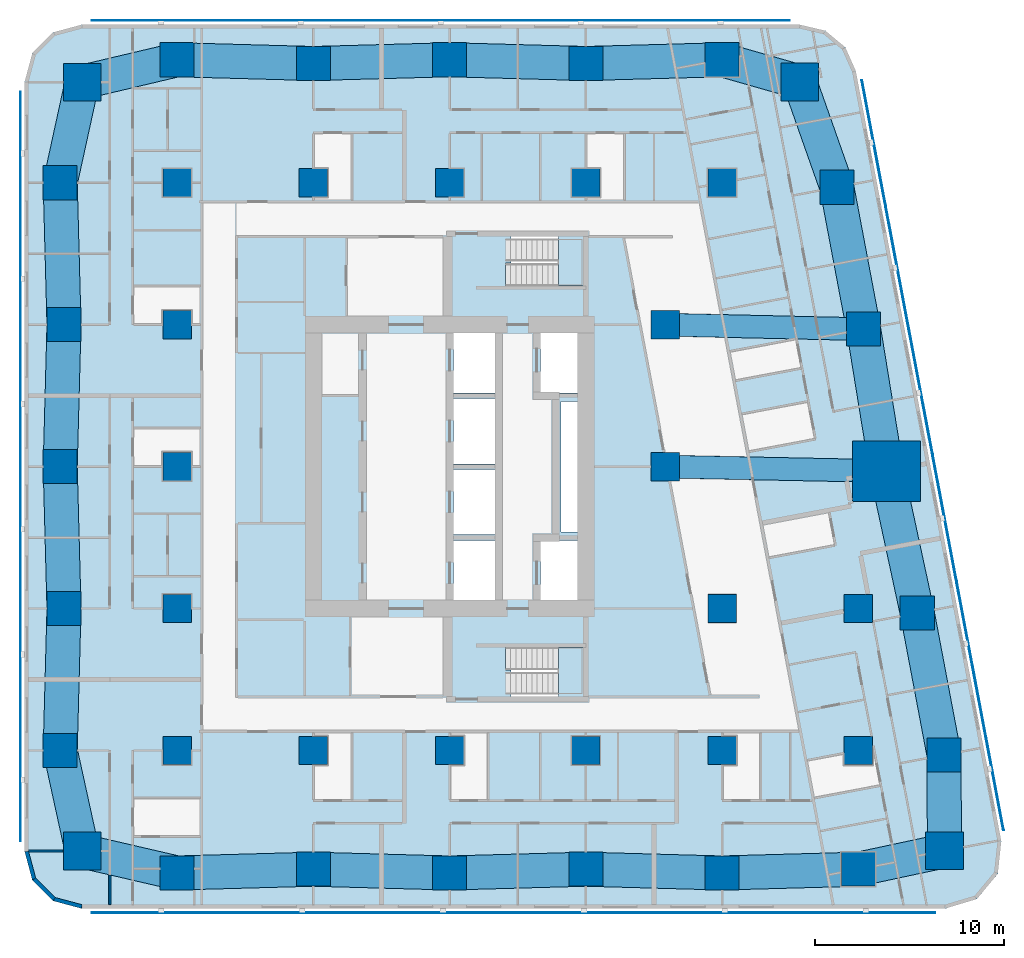
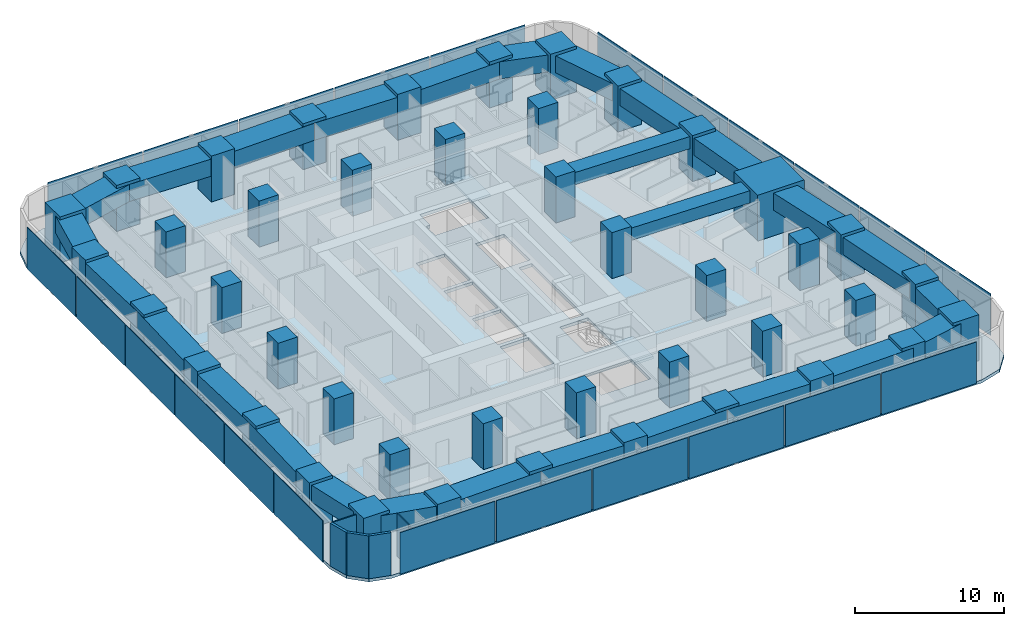
# One storey, part 1 of 15: 43 columns, 27 beams, 23 plates, 5 walls, 3 slabs, 2 elements without a shape of their own.
"""IFC4 building model written with IfcOpenShell, lengths in metres."""

from ifc_helpers import new_model, si_unit, direction, frame, frame_2d, origin, origin_2d, place, context, subcontext, project, spatial, polyline, rectangle, outline, extrude, material, layer, layer_set, material_profile, profile_set, type_object, element, aggregate, save


model = new_model("IFC4")

# Units and contexts
model_context = context("Model", 3, precision=1e-05, world=origin(), true_north=direction((0.0, 1.0)))
body_context = subcontext(model_context, "Body", "Model", "MODEL_VIEW")
ifc_project = project(units=[si_unit("LENGTHUNIT", "METRE"), si_unit("AREAUNIT", "SQUARE_METRE"), si_unit("VOLUMEUNIT", "CUBIC_METRE"), si_unit("PLANEANGLEUNIT", "RADIAN"), si_unit("MASSUNIT", "GRAM", prefix="KILO")], contexts=[model_context])

# Site, building, storey
site_placement = place(None, origin())
site = spatial("IfcSite", under=ifc_project, at=site_placement, CompositionType="ELEMENT")
building_placement = place(site_placement, origin())
building = spatial("IfcBuilding", under=site, at=building_placement, Name="Sheger Commons Tower", CompositionType="ELEMENT")
storey_placement = place(building_placement, frame((0.0, 0.0, 158.300048828125)))
storey = spatial("IfcBuildingStorey", under=building, at=storey_placement, Name="L40", CompositionType="ELEMENT", Elevation=158.300048828125)

# Columns
ifc_material_1 = material(Name="Concrete C50/60", Category="concrete")
ifc_material_profile_1 = material_profile(ifc_material_1, rectangle(XDim=3.60009765625, YDim=3.199951171875, at=origin_2d()), Name="RC 3600x3200")
ifc_profile_set_1 = profile_set([ifc_material_profile_1], Name="Concrete C50/60")
column_type_1 = type_object("IfcColumnType", Name="COLUMN PIER RC 3600x3200", PredefinedType="COLUMN", material=ifc_profile_set_1)
column_placement = place(storey_placement, frame((44.697021484375, 22.262939453125, 0.0), z_axis=(0.0, 0.0, 1.0), x_axis=(1.0, 0.0, 0.0)))
element("IfcColumn", 1, at=column_placement, inside=storey, type_object=column_type_1, Name="Pier 7/D+E/D L40", PredefinedType="COLUMN", context=body_context, shape_type="SweptSolid", body=[
    extrude(rectangle(XDim=3.60009765625, YDim=3.199951171875, at=origin_2d()), origin(), (0.0, 0.0, 1.0), 3.75),
])
ifc_material_2 = material(Name="Concrete C50/60", Category="concrete")
ifc_material_profile_2 = material_profile(ifc_material_2, rectangle(XDim=1.5, YDim=1.5, at=origin_2d()), Name="RC 1500x1500")
ifc_profile_set_2 = profile_set([ifc_material_profile_2], Name="Concrete C50/60")
column_type_2 = type_object("IfcColumnType", Name="COLUMN RC 1500x1500", PredefinedType="COLUMN", material=ifc_profile_set_2)
for number, where, z_axis, x_axis, name in (
    (2, (7.199951171875, 7.5, 0.0), (0.0, 0.0, 1.0), (1.0, 0.0, 0.0), "Column 2/B L40"),
    (3, (14.39990234375, 7.5, 0.0), (0.0, 0.0, 1.0), (1.0, 0.0, 0.0), "Column 3/B L40"),
    (4, (21.60009765625, 7.5, 0.0), (0.0, 0.0, 1.0), (1.0, 0.0, 0.0), "Column 4/B L40"),
    (5, (28.800048828125, 7.5, 0.0), (0.0, 0.0, 1.0), (1.0, 0.0, 0.0), "Column 5/B L40"),
    (6, (36.0, 7.5, 0.0), (0.0, 0.0, 1.0), (1.0, 0.0, 0.0), "Column 6/B L40"),
    (7, (43.199951171875, 7.5, 0.0), (0.0, 0.0, 1.0), (1.0, 0.0, 0.0), "Column 7/B L40"),
    (8, (7.199951171875, 15.0, 0.0), (0.0, 0.0, 1.0), (1.0, 0.0, 0.0), "Column 2/C L40"),
    (9, (36.0, 15.0, 0.0), (0.0, 0.0, 1.0), (1.0, 0.0, 0.0), "Column 6/C L40"),
    (10, (43.199951171875, 15.0, 0.0), (0.0, 0.0, 1.0), (1.0, 0.0, 0.0), "Column 7/C L40"),
    (11, (7.199951171875, 22.5, 0.0), (0.0, 0.0, 1.0), (1.0, 0.0, 0.0), "Column 2/D L40"),
    (12, (33.0, 22.5, 0.0), (0.0, 0.0, 1.0), (1.0, 0.0, 0.0), "Column 6-3000/D L40"),
    (13, (7.199951171875, 30.0, 0.0), (0.0, 0.0, 1.0), (1.0, 0.0, 0.0), "Column 2/E L40"),
    (14, (33.0, 30.0, 0.0), (0.0, 0.0, 1.0), (1.0, 0.0, 0.0), "Column 6-3000/E L40"),
    (15, (7.199951171875, 37.5, 0.0), (0.0, 0.0, 1.0), (1.0, 0.0, 0.0), "Column 2/F L40"),
    (16, (14.39990234375, 37.5, 0.0), (0.0, 0.0, 1.0), (1.0, 0.0, 0.0), "Column 3/F L40"),
    (17, (21.60009765625, 37.5, 0.0), (0.0, 0.0, 1.0), (1.0, 0.0, 0.0), "Column 4/F L40"),
    (18, (28.800048828125, 37.5, 0.0), (0.0, 0.0, 1.0), (1.0, 0.0, 0.0), "Column 5/F L40"),
    (19, (36.0, 37.5, 0.0), (0.0, 0.0, 1.0), (1.0, 0.0, 0.0), "Column 6/F L40"),
):
    element("IfcColumn", number, at=place(storey_placement, frame(where, z_axis=z_axis, x_axis=x_axis)), inside=storey, type_object=column_type_2, Name=name, PredefinedType="COLUMN", context=body_context, shape_type="SweptSolid", body=[
        extrude(rectangle(XDim=1.5, YDim=1.5, at=origin_2d()), origin(), (0.0, 0.0, 1.0), 3.75),
    ])
ifc_material_3 = material(Name="Concrete C50/60", Category="concrete")
ifc_material_profile_3 = material_profile(ifc_material_3, rectangle(XDim=1.800048828125, YDim=1.800048828125, at=origin_2d()), Name="RC 1800x1800")
ifc_profile_set_3 = profile_set([ifc_material_profile_3], Name="Concrete C50/60")
column_type_3 = type_object("IfcColumnType", Name="COLUMN RC 1800x1800", PredefinedType="COLUMN", material=ifc_profile_set_3)
for number, where, z_axis, x_axis, name in (
    (20, (7.199951171875, 1.02490234375, 0.0), (0.0, 0.0, 1.0), (1.0, 0.0, 0.0), "Column 2/A L40"),
    (21, (14.39990234375, 1.22509765625, 0.0), (0.0, 0.0, 1.0), (1.0, 0.0, 0.0), "Column 3/A L40"),
    (22, (21.60009765625, 1.02490234375, 0.0), (0.0, 0.0, 1.0), (1.0, 0.0, 0.0), "Column 4/A L40"),
    (23, (28.800048828125, 1.22509765625, 0.0), (0.0, 0.0, 1.0), (1.0, 0.0, 0.0), "Column 5/A L40"),
    (24, (36.0, 1.02490234375, 0.0), (0.0, 0.0, 1.0), (1.0, 0.0, 0.0), "Column 6/A L40"),
    (25, (43.199951171875, 1.22509765625, 0.0), (0.0, 0.0, 1.0), (1.0, 0.0, 0.0), "Column 7/A L40"),
    (26, (1.02490234375, 7.5, 0.0), (0.0, 0.0, 1.0), (1.0, 0.0, 0.0), "Column 1/B L40"),
    (27, (47.72998046875, 7.262939453125, 0.0), (0.0, 0.0, 1.0), (1.0, 0.0, 0.0), "Column E/B L40"),
    (28, (1.22509765625, 15.0, 0.0), (0.0, 0.0, 1.0), (1.0, 0.0, 0.0), "Column 1/C L40"),
    (29, (46.31396484375, 14.762939453125, 0.0), (0.0, 0.0, 1.0), (1.0, 0.0, 0.0), "Column E/C L40"),
    (30, (1.02490234375, 22.5, 0.0), (0.0, 0.0, 1.0), (1.0, 0.0, 0.0), "Column 1/D L40"),
    (31, (1.22509765625, 30.0, 0.0), (0.0, 0.0, 1.0), (1.0, 0.0, 0.0), "Column 1/E L40"),
    (32, (43.47998046875, 29.762939453125, 0.0), (0.0, 0.0, 1.0), (1.0, 0.0, 0.0), "Column E/E L40"),
    (33, (1.02490234375, 37.5, 0.0), (0.0, 0.0, 1.0), (1.0, 0.0, 0.0), "Column 1/F L40"),
    (34, (42.06396484375, 37.262939453125, 0.0), (0.0, 0.0, 1.0), (1.0, 0.0, 0.0), "Column E/F L40"),
    (35, (7.199951171875, 44.0, 0.0), (0.0, 0.0, 1.0), (1.0, 0.0, 0.0), "Column 2/G L40"),
    (36, (14.39990234375, 43.800048828125, 0.0), (0.0, 0.0, 1.0), (1.0, 0.0, 0.0), "Column 3/G L40"),
    (37, (21.60009765625, 44.0, 0.0), (0.0, 0.0, 1.0), (1.0, 0.0, 0.0), "Column 4/G L40"),
    (38, (28.800048828125, 43.800048828125, 0.0), (0.0, 0.0, 1.0), (1.0, 0.0, 0.0), "Column 5/G L40"),
    (39, (36.0, 44.0, 0.0), (0.0, 0.0, 1.0), (1.0, 0.0, 0.0), "Column 6/G L40"),
):
    element("IfcColumn", number, at=place(storey_placement, frame(where, z_axis=z_axis, x_axis=x_axis)), inside=storey, type_object=column_type_3, Name=name, PredefinedType="COLUMN", context=body_context, shape_type="SweptSolid", body=[
        extrude(rectangle(XDim=1.800048828125, YDim=1.800048828125, at=origin_2d()), origin(), (0.0, 0.0, 1.0), 3.75),
    ])
ifc_material_4 = material(Name="Concrete C50/60", Category="concrete")
ifc_material_profile_4 = material_profile(ifc_material_4, rectangle(XDim=2.0, YDim=2.0, at=origin_2d()), Name="RC 2000x2000")
ifc_profile_set_4 = profile_set([ifc_material_profile_4], Name="Concrete C50/60")
column_type_4 = type_object("IfcColumnType", Name="COLUMN RC 2000x2000", PredefinedType="COLUMN", material=ifc_profile_set_4)
for number, where, z_axis, x_axis, name in (
    (40, (2.18603515625, 2.18603515625, 0.0), (0.0, 0.0, 1.0), (1.0, 0.0, 0.0), "Column 0.630,0.630 L40"),
    (41, (47.748046875, 2.197021484375, 0.0), (0.0, 0.0, 1.0), (1.0, 0.0, 0.0), "Column 49.461,0.778 L40"),
    (42, (2.18603515625, 42.81396484375, 0.0), (0.0, 0.0, 1.0), (1.0, 0.0, 0.0), "Column 0.630,44.370 L40"),
    (43, (40.10205078125, 42.830078125, 0.0), (0.0, 0.0, 1.0), (1.0, 0.0, 0.0), "Column 41.490,44.505 L40"),
):
    element("IfcColumn", number, at=place(storey_placement, frame(where, z_axis=z_axis, x_axis=x_axis)), inside=storey, type_object=column_type_4, Name=name, PredefinedType="COLUMN", context=body_context, shape_type="SweptSolid", body=[
        extrude(rectangle(XDim=2.0, YDim=2.0, at=origin_2d()), origin(), (0.0, 0.0, 1.0), 3.75),
    ])

# Beams
ifc_material_5 = material(Name="Concrete C50/60", Category="concrete")
ifc_material_profile_5 = material_profile(ifc_material_5, rectangle(XDim=1.199951171875, YDim=1.0, at=origin_2d()), Name="RC 1200x1000")
ifc_profile_set_5 = profile_set([ifc_material_profile_5], Name="Concrete C50/60")
beam_type_1 = type_object("IfcBeamType", Name="BEAM RC 1200x1000", PredefinedType="BEAM", material=ifc_profile_set_5)
beam_1_placement = place(storey_placement, frame((33.0, 22.5, 3.0), z_axis=(0.999794692776, -0.02026258368, 0.0), x_axis=(0.02026258368, 0.999794692776, 0.0)))
element("IfcBeam", 44, at=beam_1_placement, inside=storey, type_object=beam_type_1, Name="Beam 6-3000/D-7/D under L41", PredefinedType="BEAM", context=body_context, shape_type="SweptSolid", body=[
    extrude(rectangle(XDim=1.199951171875, YDim=1.0, at=origin_2d()), origin(), (0.0, 0.0, 1.0), 11.699462890625),
])
beam_2_placement = place(storey_placement, frame((33.0, 30.0, 3.0), z_axis=(0.999744258625, -0.022614538395, 0.0), x_axis=(0.022614538395, 0.999744258625, 0.0)))
element("IfcBeam", 45, at=beam_2_placement, inside=storey, type_object=beam_type_1, Name="Beam 6-3000/E-E/E under L41", PredefinedType="BEAM", context=body_context, shape_type="SweptSolid", body=[
    extrude(rectangle(XDim=1.199951171875, YDim=1.0, at=origin_2d()), origin(), (0.0, 0.0, 1.0), 10.482666015625),
])
ifc_material_6 = material(Name="Concrete C50/60", Category="concrete")
ifc_material_profile_6 = material_profile(ifc_material_6, rectangle(XDim=1.800048828125, YDim=1.39990234375, at=origin_2d()), Name="RC 1800x1400")
ifc_profile_set_6 = profile_set([ifc_material_profile_6], Name="Concrete C50/60")
beam_type_2 = type_object("IfcBeamType", Name="SPANDREL RC 1800x1400", PredefinedType="SPANDREL", material=ifc_profile_set_6)
beam_3_placement = place(storey_placement, frame((2.18603515625, 2.18603515625, 2.800048828125), z_axis=(0.974217413499, -0.225611239159, 0.0), x_axis=(0.225611239159, 0.974217413499, 0.0)))
element("IfcBeam", 46, at=beam_3_placement, inside=storey, type_object=beam_type_2, Name="Beam 0.630,0.630-2/A under L41", PredefinedType="SPANDREL", context=body_context, shape_type="SweptSolid", body=[
    extrude(rectangle(XDim=1.800048828125, YDim=1.39990234375, at=origin_2d()), origin(), (0.0, 0.0, 1.0), 5.146728515625),
])
beam_4_placement = place(storey_placement, frame((7.199951171875, 1.02490234375, 2.800048828125), z_axis=(0.9996136624, 0.027794350926, 0.0), x_axis=(-0.027794350926, 0.9996136624, 0.0)))
element("IfcBeam", 47, at=beam_4_placement, inside=storey, type_object=beam_type_2, Name="Beam 2/A-3/A under L41", PredefinedType="SPANDREL", context=body_context, shape_type="SweptSolid", body=[
    extrude(rectangle(XDim=1.800048828125, YDim=1.39990234375, at=origin_2d()), origin(), (0.0, 0.0, 1.0), 7.20263671875),
])
beam_5_placement = place(storey_placement, frame((14.39990234375, 1.22509765625, 2.800048828125), z_axis=(0.999613688584, -0.027793409217, 0.0), x_axis=(0.027793409217, 0.999613688584, 0.0)))
element("IfcBeam", 48, at=beam_5_placement, inside=storey, type_object=beam_type_2, Name="Beam 3/A-4/A under L41", PredefinedType="SPANDREL", context=body_context, shape_type="SweptSolid", body=[
    extrude(rectangle(XDim=1.800048828125, YDim=1.39990234375, at=origin_2d()), origin(), (0.0, 0.0, 1.0), 7.202880859375),
])
for number, where, z_axis, x_axis, name in (
    (49, (21.60009765625, 1.02490234375, 2.800048828125), (0.9996136624, 0.027794350926, 0.0), (-0.027794350926, 0.9996136624, 0.0), "Beam 4/A-5/A under L41"),
    (50, (28.800048828125, 1.22509765625, 2.800048828125), (0.9996136624, -0.027794350926, 0.0), (0.027794350926, 0.9996136624, 0.0), "Beam 5/A-6/A under L41"),
    (51, (36.0, 1.02490234375, 2.800048828125), (0.9996136624, 0.027794350926, 0.0), (-0.027794350926, 0.9996136624, 0.0), "Beam 6/A-7/A under L41"),
):
    element("IfcBeam", number, at=place(storey_placement, frame(where, z_axis=z_axis, x_axis=x_axis)), inside=storey, type_object=beam_type_2, Name=name, PredefinedType="SPANDREL", context=body_context, shape_type="SweptSolid", body=[
        extrude(rectangle(XDim=1.800048828125, YDim=1.39990234375, at=origin_2d()), origin(), (0.0, 0.0, 1.0), 7.20263671875),
    ])
beam_6_placement = place(storey_placement, frame((43.199951171875, 1.22509765625, 2.800048828125), z_axis=(0.977919796671, 0.208980552394, 0.0), x_axis=(-0.208980552394, 0.977919796671, 0.0)))
element("IfcBeam", 52, at=beam_6_placement, inside=storey, type_object=beam_type_2, Name="Beam 7/A-49.461,0.778 under L41", PredefinedType="SPANDREL", context=body_context, shape_type="SweptSolid", body=[
    extrude(rectangle(XDim=1.800048828125, YDim=1.39990234375, at=origin_2d()), origin(), (0.0, 0.0, 1.0), 4.65087890625),
])
beam_7_placement = place(storey_placement, frame((47.748046875, 2.197021484375, 2.800048828125), z_axis=(-0.003566242382, 0.999993640937, 0.0), x_axis=(-0.999993640937, -0.003566242382, 0.0)))
element("IfcBeam", 53, at=beam_7_placement, inside=storey, type_object=beam_type_2, Name="Beam 49.461,0.778-E/B under L41", PredefinedType="SPANDREL", context=body_context, shape_type="SweptSolid", body=[
    extrude(rectangle(XDim=1.800048828125, YDim=1.39990234375, at=origin_2d()), origin(), (0.0, 0.0, 1.0), 5.06591796875),
])
beam_8_placement = place(storey_placement, frame((47.72998046875, 7.262939453125, 2.800048828125), z_axis=(-0.18552441405, 0.982639655108, 0.0), x_axis=(-0.982639655108, -0.18552441405, 0.0)))
element("IfcBeam", 54, at=beam_8_placement, inside=storey, type_object=beam_type_2, Name="Beam E/B-E/C under L41", PredefinedType="SPANDREL", context=body_context, shape_type="SweptSolid", body=[
    extrude(rectangle(XDim=1.800048828125, YDim=1.39990234375, at=origin_2d()), origin(), (0.0, 0.0, 1.0), 7.632568359375),
])
beam_9_placement = place(storey_placement, frame((46.31396484375, 14.762939453125, 2.800048828125), z_axis=(-0.210750229323, 0.977539943348, 0.0), x_axis=(-0.977539943348, -0.210750229323, 0.0)))
element("IfcBeam", 55, at=beam_9_placement, inside=storey, type_object=beam_type_2, Name="Beam E/C-E/D under L41", PredefinedType="SPANDREL", context=body_context, shape_type="SweptSolid", body=[
    extrude(rectangle(XDim=1.800048828125, YDim=1.39990234375, at=origin_2d()), origin(), (0.0, 0.0, 1.0), 7.67236328125),
])
beam_10_placement = place(storey_placement, frame((44.697021484375, 22.262939453125, 2.800048828125), z_axis=(-0.160176929512, 0.987088319884, 0.0), x_axis=(-0.987088319884, -0.160176929512, 0.0)))
element("IfcBeam", 56, at=beam_10_placement, inside=storey, type_object=beam_type_2, Name="Beam E/D-E/E under L41", PredefinedType="SPANDREL", context=body_context, shape_type="SweptSolid", body=[
    extrude(rectangle(XDim=1.800048828125, YDim=1.39990234375, at=origin_2d()), origin(), (0.0, 0.0, 1.0), 7.59814453125),
])
beam_11_placement = place(storey_placement, frame((43.47998046875, 29.762939453125, 2.800048828125), z_axis=(-0.18552441405, 0.982639655108, 0.0), x_axis=(-0.982639655108, -0.18552441405, 0.0)))
element("IfcBeam", 57, at=beam_11_placement, inside=storey, type_object=beam_type_2, Name="Beam E/E-E/F under L41", PredefinedType="SPANDREL", context=body_context, shape_type="SweptSolid", body=[
    extrude(rectangle(XDim=1.800048828125, YDim=1.39990234375, at=origin_2d()), origin(), (0.0, 0.0, 1.0), 7.632568359375),
])
beam_12_placement = place(storey_placement, frame((42.06396484375, 37.262939453125, 2.800048828125), z_axis=(-0.332374403357, 0.943147526102, 0.0), x_axis=(-0.943147526102, -0.332374403357, 0.0)))
element("IfcBeam", 58, at=beam_12_placement, inside=storey, type_object=beam_type_2, Name="Beam E/F-41.490,44.505 under L41", PredefinedType="SPANDREL", context=body_context, shape_type="SweptSolid", body=[
    extrude(rectangle(XDim=1.800048828125, YDim=1.39990234375, at=origin_2d()), origin(), (0.0, 0.0, 1.0), 5.90283203125),
])
beam_13_placement = place(storey_placement, frame((40.10205078125, 42.830078125, 2.800048828125), z_axis=(-0.961653428129, 0.274267541221, 0.0), x_axis=(-0.274267541221, -0.961653428129, 0.0)))
element("IfcBeam", 59, at=beam_13_placement, inside=storey, type_object=beam_type_2, Name="Beam 41.490,44.505-6/G under L41", PredefinedType="SPANDREL", context=body_context, shape_type="SweptSolid", body=[
    extrude(rectangle(XDim=1.800048828125, YDim=1.39990234375, at=origin_2d()), origin(), (0.0, 0.0, 1.0), 4.265625),
])
for number, where, z_axis, x_axis, name in (
    (60, (36.0, 44.0, 2.800048828125), (-0.999614603568, -0.027760481514, 0.0), (0.027760481514, -0.999614603568, 0.0), "Beam 6/G-5/G under L41"),
    (61, (28.800048828125, 43.800048828125, 2.800048828125), (-0.999614603568, 0.027760481514, 0.0), (-0.027760481514, -0.999614603568, 0.0), "Beam 5/G-4/G under L41"),
):
    element("IfcBeam", number, at=place(storey_placement, frame(where, z_axis=z_axis, x_axis=x_axis)), inside=storey, type_object=beam_type_2, Name=name, PredefinedType="SPANDREL", context=body_context, shape_type="SweptSolid", body=[
        extrude(rectangle(XDim=1.800048828125, YDim=1.39990234375, at=origin_2d()), origin(), (0.0, 0.0, 1.0), 7.20263671875),
    ])
beam_14_placement = place(storey_placement, frame((21.60009765625, 44.0, 2.800048828125), z_axis=(-0.999614629688, -0.027759540951, 0.0), x_axis=(0.027759540951, -0.999614629688, 0.0)))
element("IfcBeam", 62, at=beam_14_placement, inside=storey, type_object=beam_type_2, Name="Beam 4/G-3/G under L41", PredefinedType="SPANDREL", context=body_context, shape_type="SweptSolid", body=[
    extrude(rectangle(XDim=1.800048828125, YDim=1.39990234375, at=origin_2d()), origin(), (0.0, 0.0, 1.0), 7.202880859375),
])
beam_15_placement = place(storey_placement, frame((14.39990234375, 43.800048828125, 2.800048828125), z_axis=(-0.999614603568, 0.027760481514, 0.0), x_axis=(-0.027760481514, -0.999614603568, 0.0)))
element("IfcBeam", 63, at=beam_15_placement, inside=storey, type_object=beam_type_2, Name="Beam 3/G-2/G under L41", PredefinedType="SPANDREL", context=body_context, shape_type="SweptSolid", body=[
    extrude(rectangle(XDim=1.800048828125, YDim=1.39990234375, at=origin_2d()), origin(), (0.0, 0.0, 1.0), 7.20263671875),
])
beam_16_placement = place(storey_placement, frame((7.199951171875, 44.0, 2.800048828125), z_axis=(-0.97314428949, -0.230195985701, 0.0), x_axis=(0.230195985701, -0.97314428949, 0.0)))
element("IfcBeam", 64, at=beam_16_placement, inside=storey, type_object=beam_type_2, Name="Beam 2/G-0.630,44.370 under L41", PredefinedType="SPANDREL", context=body_context, shape_type="SweptSolid", body=[
    extrude(rectangle(XDim=1.800048828125, YDim=1.39990234375, at=origin_2d()), origin(), (0.0, 0.0, 1.0), 5.15234375),
])
beam_17_placement = place(storey_placement, frame((2.18603515625, 42.81396484375, 2.800048828125), z_axis=(-0.213469314652, -0.976949769283, 0.0), x_axis=(0.976949769283, -0.213469314652, 0.0)))
element("IfcBeam", 65, at=beam_17_placement, inside=storey, type_object=beam_type_2, Name="Beam 0.630,44.370-1/F under L41", PredefinedType="SPANDREL", context=body_context, shape_type="SweptSolid", body=[
    extrude(rectangle(XDim=1.800048828125, YDim=1.39990234375, at=origin_2d()), origin(), (0.0, 0.0, 1.0), 5.439453125),
])
for number, where, z_axis, x_axis, name in (
    (66, (1.02490234375, 37.5, 2.800048828125), (0.026683204125, -0.999643939919, 0.0), (0.999643939919, 0.026683204125, 0.0), "Beam 1/F-1/E under L41"),
    (67, (1.22509765625, 30.0, 2.800048828125), (-0.026683204125, -0.999643939919, 0.0), (0.999643939919, -0.026683204125, 0.0), "Beam 1/E-1/D under L41"),
    (68, (1.02490234375, 22.5, 2.800048828125), (0.026683204125, -0.999643939919, 0.0), (0.999643939919, 0.026683204125, 0.0), "Beam 1/D-1/C under L41"),
    (69, (1.22509765625, 15.0, 2.800048828125), (-0.026683204125, -0.999643939919, 0.0), (0.999643939919, -0.026683204125, 0.0), "Beam 1/C-1/B under L41"),
):
    element("IfcBeam", number, at=place(storey_placement, frame(where, z_axis=z_axis, x_axis=x_axis)), inside=storey, type_object=beam_type_2, Name=name, PredefinedType="SPANDREL", context=body_context, shape_type="SweptSolid", body=[
        extrude(rectangle(XDim=1.800048828125, YDim=1.39990234375, at=origin_2d()), origin(), (0.0, 0.0, 1.0), 7.502685546875),
    ])
beam_18_placement = place(storey_placement, frame((1.02490234375, 7.5, 2.800048828125), z_axis=(0.213469314652, -0.976949769283, 0.0), x_axis=(0.976949769283, 0.213469314652, 0.0)))
element("IfcBeam", 70, at=beam_18_placement, inside=storey, type_object=beam_type_2, Name="Beam 1/B-0.630,0.630 under L41", PredefinedType="SPANDREL", context=body_context, shape_type="SweptSolid", body=[
    extrude(rectangle(XDim=1.800048828125, YDim=1.39990234375, at=origin_2d()), origin(), (0.0, 0.0, 1.0), 5.439453125),
])

# Slab
ifc_material_7 = material(Name="Concrete C35/45", Category="concrete")
ifc_layer_1 = layer(ifc_material_7, 0.25)
ifc_layer_set_1 = layer_set([ifc_layer_1], Name="SLAB FLOOR 250")
slab_type_1 = type_object("IfcSlabType", Name="SLAB FLOOR 250", PredefinedType="FLOOR", material=ifc_layer_set_1)
slab_1_placement = place(storey_placement, frame((0.0, 0.0, -0.25)))
element("IfcSlab", 71, at=slab_1_placement, inside=storey, type_object=slab_type_1, Name="L40 floor slab", PredefinedType="FLOOR", context=body_context, shape_type="SweptSolid", body=[
    extrude(outline(polyline([(-0.85009765625, 2.14990234375), (-0.447998046875, 0.64990234375), (0.64990234375, -0.447998046875), (2.14990234375, -0.85009765625), (47.805908203125, -0.85009765625), (49.465087890625, -0.35009765625), (50.570068359375, 0.98388671875), (50.75390625, 2.70703125), (43.06591796875, 43.406982421875), (42.509033203125, 44.660888671875), (41.452880859375, 45.535888671875), (40.117919921875, 45.85009765625), (2.14990234375, 45.85009765625), (0.64990234375, 45.447998046875), (-0.447998046875, 44.35009765625), (-0.85009765625, 42.85009765625), (-0.85009765625, 2.14990234375)]), holes=[polyline([(24.85009765625, 10.35009765625), (28.64990234375, 10.35009765625), (28.64990234375, 12.949951171875), (24.551025390625, 12.949951171875), (24.551025390625, 11.75), (24.85009765625, 11.75), (24.85009765625, 10.35009765625)]), polyline([(24.551025390625, 32.050048828125), (28.64990234375, 32.050048828125), (28.64990234375, 34.64990234375), (24.85009765625, 34.64990234375), (24.85009765625, 33.25), (24.551025390625, 33.25), (24.551025390625, 32.050048828125)]), polyline([(26.39990234375, 15.14990234375), (28.60009765625, 15.14990234375), (28.60009765625, 18.60009765625), (26.39990234375, 18.60009765625), (26.39990234375, 15.14990234375)]), polyline([(26.39990234375, 26.39990234375), (28.60009765625, 26.39990234375), (28.60009765625, 29.85009765625), (26.39990234375, 29.85009765625), (26.39990234375, 26.39990234375)]), polyline([(21.800048828125, 15.14990234375), (24.0, 15.14990234375), (24.0, 18.60009765625), (21.800048828125, 18.60009765625), (21.800048828125, 15.14990234375)]), polyline([(21.800048828125, 18.89990234375), (24.0, 18.89990234375), (24.0, 22.35009765625), (21.800048828125, 22.35009765625), (21.800048828125, 18.89990234375)]), polyline([(21.800048828125, 22.64990234375), (24.0, 22.64990234375), (24.0, 26.10009765625), (21.800048828125, 26.10009765625), (21.800048828125, 22.64990234375)]), polyline([(21.800048828125, 26.39990234375), (24.0, 26.39990234375), (24.0, 29.85009765625), (21.800048828125, 29.85009765625), (21.800048828125, 26.39990234375)]), polyline([(27.5, 19.050048828125), (28.5, 19.050048828125), (28.5, 25.949951171875), (27.5, 25.949951171875), (27.5, 19.050048828125)])]), origin(), (0.0, 0.0, 1.0), 0.25),
])

# Plates
ifc_material_8 = material(Name="Perforated black anodised aluminium screen", Category="aluminium")
ifc_layer_2 = layer(ifc_material_8, 0.050048828125)
ifc_layer_set_2 = layer_set([ifc_layer_2], Name="SOLAR SCREEN SCREEN-1")
plate_type = type_object("IfcPlateType", Name="SOLAR SCREEN SCREEN-1", PredefinedType="USERDEFINED", material=ifc_layer_set_2)
for number, where, z_axis, x_axis, name in (
    (72, (6.37109375, -1.074951171875, 0.050048828125), (0.0, 0.0, 1.0), (1.0, 0.0, 0.0), "Perforated solar screen panel"),
    (73, (13.81396484375, -1.074951171875, 0.050048828125), (0.0, 0.0, 1.0), (1.0, 0.0, 0.0), "Perforated solar screen panel"),
    (74, (21.257080078125, -1.074951171875, 0.050048828125), (0.0, 0.0, 1.0), (1.0, 0.0, 0.0), "Perforated solar screen panel"),
    (75, (28.698974609375, -1.074951171875, 0.050048828125), (0.0, 0.0, 1.0), (1.0, 0.0, 0.0), "Perforated solar screen panel"),
    (76, (36.14208984375, -1.074951171875, 0.050048828125), (0.0, 0.0, 1.0), (1.0, 0.0, 0.0), "Perforated solar screen panel"),
    (77, (43.5849609375, -1.074951171875, 0.050048828125), (0.0, 0.0, 1.0), (1.0, 0.0, 0.0), "Perforated solar screen panel"),
):
    element("IfcPlate", number, at=place(storey_placement, frame(where, z_axis=z_axis, x_axis=x_axis)), inside=storey, type_object=plate_type, Name=name, ObjectType="SCREEN", PredefinedType="USERDEFINED", context=body_context, shape_type="SweptSolid", body=[
        extrude(rectangle(XDim=7.343017578125, YDim=0.050048828125, at=origin_2d()), origin(), (0.0, 0.0, 1.0), 3.39990234375),
    ])
for number, where, z_axis, x_axis, name in (
    (78, (50.257080078125, 6.550048828125, 0.050048828125), (0.0, 0.0, 1.0), (-0.185615165645, 0.982622516678, 0.0), "Perforated solar screen panel"),
    (79, (49.007080078125, 13.1689453125, 0.050048828125), (0.0, 0.0, 1.0), (-0.185615165645, 0.982622516678, 0.0), "Perforated solar screen panel"),
    (80, (47.756103515625, 19.7890625, 0.050048828125), (0.0, 0.0, 1.0), (-0.185615165645, 0.982622516678, 0.0), "Perforated solar screen panel"),
    (81, (46.506103515625, 26.408935546875, 0.050048828125), (0.0, 0.0, 1.0), (-0.185615165645, 0.982622516678, 0.0), "Perforated solar screen panel"),
    (82, (45.2548828125, 33.028076171875, 0.050048828125), (0.0, 0.0, 1.0), (-0.185615165645, 0.982622516678, 0.0), "Perforated solar screen panel"),
    (83, (44.0048828125, 39.64794921875, 0.050048828125), (0.0, 0.0, 1.0), (-0.185615165645, 0.982622516678, 0.0), "Perforated solar screen panel"),
):
    element("IfcPlate", number, at=place(storey_placement, frame(where, z_axis=z_axis, x_axis=x_axis)), inside=storey, type_object=plate_type, Name=name, ObjectType="SCREEN", PredefinedType="USERDEFINED", context=body_context, shape_type="SweptSolid", body=[
        extrude(rectangle(XDim=6.636962890625, YDim=0.050048828125, at=origin_2d()), origin(), (0.0, 0.0, 1.0), 3.39990234375),
    ])
for number, where, z_axis, x_axis, name in (
    (84, (35.9208984375, 46.074951171875, 0.050048828125), (0.0, 0.0, 1.0), (-1.0, 0.0, 0.0), "Perforated solar screen panel"),
    (85, (28.528076171875, 46.074951171875, 0.050048828125), (0.0, 0.0, 1.0), (-1.0, 0.0, 0.0), "Perforated solar screen panel"),
    (86, (21.134033203125, 46.074951171875, 0.050048828125), (0.0, 0.0, 1.0), (-1.0, 0.0, 0.0), "Perforated solar screen panel"),
    (87, (13.739990234375, 46.074951171875, 0.050048828125), (0.0, 0.0, 1.0), (-1.0, 0.0, 0.0), "Perforated solar screen panel"),
    (88, (6.346923828125, 46.074951171875, 0.050048828125), (0.0, 0.0, 1.0), (-1.0, 0.0, 0.0), "Perforated solar screen panel"),
):
    element("IfcPlate", number, at=place(storey_placement, frame(where, z_axis=z_axis, x_axis=x_axis)), inside=storey, type_object=plate_type, Name=name, ObjectType="SCREEN", PredefinedType="USERDEFINED", context=body_context, shape_type="SweptSolid", body=[
        extrude(rectangle(XDim=7.2939453125, YDim=0.050048828125, at=origin_2d()), origin(), (0.0, 0.0, 1.0), 3.39990234375),
    ])
for number, where, z_axis, x_axis, name in (
    (89, (-1.074951171875, 39.0419921875, 0.050048828125), (0.0, 0.0, 1.0), (0.0, -1.0, 0.0), "Perforated solar screen panel"),
    (90, (-1.074951171875, 32.425048828125, 0.050048828125), (0.0, 0.0, 1.0), (0.0, -1.0, 0.0), "Perforated solar screen panel"),
    (91, (-1.074951171875, 25.80810546875, 0.050048828125), (0.0, 0.0, 1.0), (0.0, -1.0, 0.0), "Perforated solar screen panel"),
    (92, (-1.074951171875, 19.19189453125, 0.050048828125), (0.0, 0.0, 1.0), (0.0, -1.0, 0.0), "Perforated solar screen panel"),
    (93, (-1.074951171875, 12.574951171875, 0.050048828125), (0.0, 0.0, 1.0), (0.0, -1.0, 0.0), "Perforated solar screen panel"),
    (94, (-1.074951171875, 5.9580078125, 0.050048828125), (0.0, 0.0, 1.0), (0.0, -1.0, 0.0), "Perforated solar screen panel"),
):
    element("IfcPlate", number, at=place(storey_placement, frame(where, z_axis=z_axis, x_axis=x_axis)), inside=storey, type_object=plate_type, Name=name, ObjectType="SCREEN", PredefinedType="USERDEFINED", context=body_context, shape_type="SweptSolid", body=[
        extrude(rectangle(XDim=6.51708984375, YDim=0.050048828125, at=origin_2d()), origin(), (0.0, 0.0, 1.0), 3.39990234375),
    ])

# Stair, slab
ifc_material_9 = material(Name="Concrete C35/45", Category="concrete")
stair_type = type_object("IfcStairType", Name="HALF-TURN STAIR 1200 RISE 3750", PredefinedType="HALF_TURN_STAIR", material=ifc_material_9)
stair_1_placement = place(storey_placement, origin())
stair_1 = element("IfcStair", 95, at=stair_1_placement, inside=storey, type_object=stair_type, Name="Stair S1 L40", PredefinedType="HALF_TURN_STAIR")
ifc_material_10 = material(Name="Concrete C35/45", Category="concrete")
ifc_layer_3 = layer(ifc_material_10, 0.199951171875)
ifc_layer_set_3 = layer_set([ifc_layer_3], Name="STAIR LANDING 200")
slab_type_2 = type_object("IfcSlabType", Name="STAIR LANDING 200", PredefinedType="LANDING", material=ifc_layer_set_3)
slab_2_placement = place(storey_placement, frame((0.0, 0.0, 1.675048828125)))
slab_2 = element("IfcSlab", 96, at=slab_2_placement, type_object=slab_type_2, Name="S1 landing 1", PredefinedType="LANDING", context=body_context, shape_type="SweptSolid", body=[
    extrude(outline(polyline([(27.35009765625, 10.199951171875), (28.800048828125, 10.199951171875), (28.800048828125, 12.949951171875), (27.35009765625, 12.949951171875), (27.35009765625, 10.199951171875)])), origin(), (0.0, 0.0, 1.0), 0.199951171875),
])
aggregate(stair_1, [slab_2])

stair_2_placement = place(storey_placement, origin())
stair_2 = element("IfcStair", 97, at=stair_2_placement, inside=storey, type_object=stair_type, Name="Stair S2 L40", PredefinedType="HALF_TURN_STAIR")
slab_3_placement = place(storey_placement, frame((0.0, 0.0, 1.675048828125)))
slab_3 = element("IfcSlab", 98, at=slab_3_placement, type_object=slab_type_2, Name="S2 landing 1", PredefinedType="LANDING", context=body_context, shape_type="SweptSolid", body=[
    extrude(outline(polyline([(27.35009765625, 32.050048828125), (28.800048828125, 32.050048828125), (28.800048828125, 34.800048828125), (27.35009765625, 34.800048828125), (27.35009765625, 32.050048828125)])), origin(), (0.0, 0.0, 1.0), 0.199951171875),
])
aggregate(stair_2, [slab_3])

# Walls
ifc_material_11 = material(Name="Rendered concrete block masonry, dark grey", Category="masonry")
ifc_layer_4 = layer(ifc_material_11, 0.199951171875)
ifc_layer_set_4 = layer_set([ifc_layer_4], Name="FACADE WALL 200")
wall_type_1 = type_object("IfcWallType", Name="FACADE WALL 200", PredefinedType="SOLIDWALL", material=ifc_layer_set_4)
wall_1_placement = place(storey_placement, frame((-0.75, 2.1630859375, 0.0), z_axis=(0.0, 0.0, 1.0), x_axis=(0.259168954497, -0.965832000415, 0.0)))
element("IfcWall", 99, at=wall_1_placement, inside=storey, type_object=wall_type_1, Name="Facade wall L40", PredefinedType="SOLIDWALL", context=body_context, shape_type="SweptSolid", body=[
    extrude(rectangle(XDim=1.512939453125, YDim=0.199951171875, at=frame_2d((0.75634765625, 0.0))), origin(), (0.0, 0.0, 1.0), 3.5),
])
wall_2_placement = place(storey_placement, frame((-0.35791015625, 0.701904296875, 0.0), z_axis=(0.0, 0.0, 1.0), x_axis=(0.707106781187, -0.707106781187, 0.0)))
element("IfcWall", 100, at=wall_2_placement, inside=storey, type_object=wall_type_1, Name="Facade wall L40", PredefinedType="SOLIDWALL", context=body_context, shape_type="SweptSolid", body=[
    extrude(rectangle(XDim=1.498779296875, YDim=0.199951171875, at=frame_2d((0.74951171875, 0.0))), origin(), (0.0, 0.0, 1.0), 3.5),
])
wall_3_placement = place(storey_placement, frame((0.701904296875, -0.35791015625, 0.0), z_axis=(0.0, 0.0, 1.0), x_axis=(0.965832000415, -0.259168954497, 0.0)))
element("IfcWall", 101, at=wall_3_placement, inside=storey, type_object=wall_type_1, Name="Facade wall L40", PredefinedType="SOLIDWALL", context=body_context, shape_type="SweptSolid", body=[
    extrude(rectangle(XDim=1.512939453125, YDim=0.199951171875, at=frame_2d((0.75634765625, 0.0))), origin(), (0.0, 0.0, 1.0), 3.5),
])
ifc_material_12 = material(Name="Gypsum board on steel studs", Category="steel")
ifc_layer_5 = layer(ifc_material_12, 0.10009765625)
ifc_layer_set_5 = layer_set([ifc_layer_5], Name="PARTITION 100")
wall_type_2 = type_object("IfcWallType", Name="PARTITION 100", PredefinedType="PARTITIONING", material=ifc_layer_set_5)
wall_4_placement = place(storey_placement, frame((3.64990234375, -0.64990234375, 0.0), z_axis=(0.0, 0.0, 1.0), x_axis=(0.0, 1.0, 0.0)))
element("IfcWall", 102, at=wall_4_placement, inside=storey, type_object=wall_type_2, Name="Partition L40", PredefinedType="PARTITIONING", context=body_context, shape_type="SweptSolid", body=[
    extrude(rectangle(XDim=1.56201171875, YDim=0.10009765625, at=frame_2d((0.781005859375, 0.0))), origin(), (0.0, 0.0, 1.0), 3.5),
])
wall_5_placement = place(storey_placement, frame((-0.64990234375, 2.18603515625, 0.0), z_axis=(0.0, 0.0, 1.0), x_axis=(1.0, 0.0, 0.0)))
element("IfcWall", 103, at=wall_5_placement, inside=storey, type_object=wall_type_2, Name="Partition L40", PredefinedType="PARTITIONING", context=body_context, shape_type="SweptSolid", body=[
    extrude(rectangle(XDim=1.8349609375, YDim=0.10009765625, at=frame_2d((0.91748046875, 0.0))), origin(), (0.0, 0.0, 1.0), 3.5),
])

save(model, "model.ifc")
